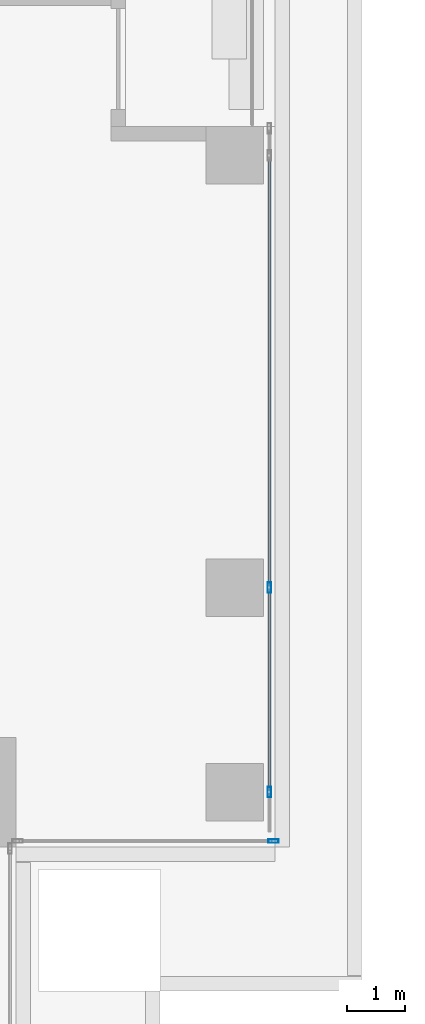
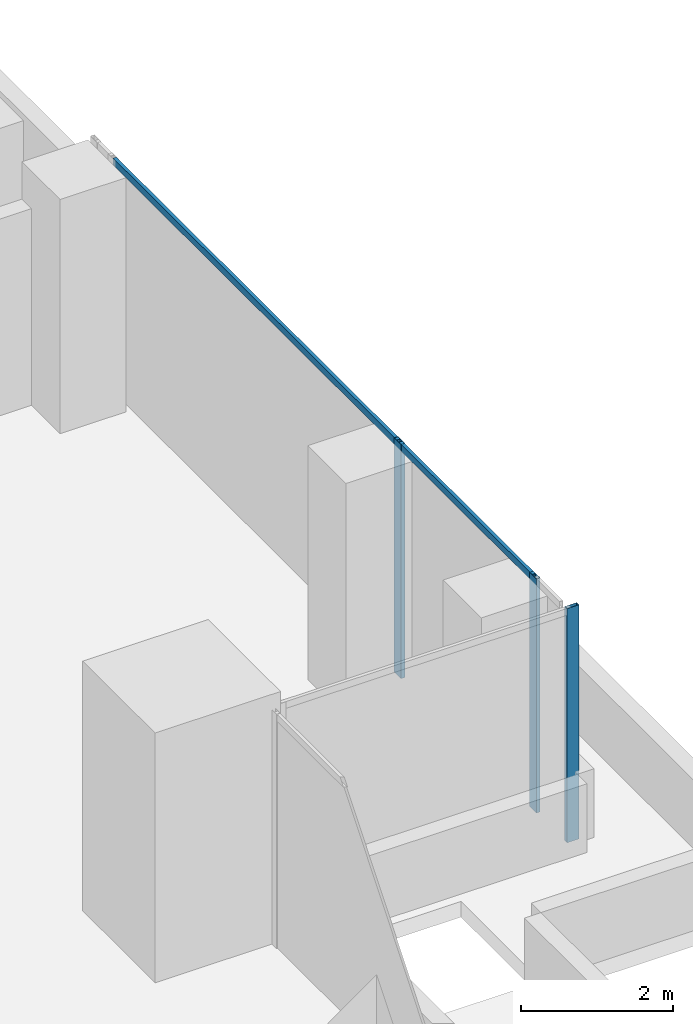
# One storey, part 10 of 43: 5 members, 2 elements without a shape of their own.
"""IFC4 building model written with IfcOpenShell, lengths in metres."""

from ifc_helpers import new_model, si_unit, direction, frame, origin, origin_2d, place, context, subcontext, project, spatial, hollow_rectangle, extrude, source, transform, mapped, material, material_profile, profile_set, type_object, element, aggregate, save


model = new_model("IFC4")

# Units and contexts
model_context = context("Model", 3, precision=1e-05, world=origin(), true_north=direction((0.0, 1.0)))
body_context = subcontext(model_context, "Body", "Model", "MODEL_VIEW")
ifc_project = project(units=[si_unit("LENGTHUNIT", "METRE"), si_unit("AREAUNIT", "SQUARE_METRE"), si_unit("VOLUMEUNIT", "CUBIC_METRE"), si_unit("PLANEANGLEUNIT", "RADIAN"), si_unit("MASSUNIT", "GRAM", prefix="KILO")], contexts=[model_context])

# Site, building, storey
site_placement = place(None, origin())
site = spatial("IfcSite", under=ifc_project, at=site_placement, CompositionType="ELEMENT")
building_placement = place(site_placement, origin())
building = spatial("IfcBuilding", under=site, at=building_placement, Name="Khomas Fold Tower", CompositionType="ELEMENT")
storey_placement = place(building_placement, frame((0.0, 0.0, 164.699951171875)))
storey = spatial("IfcBuildingStorey", under=building, at=storey_placement, Name="L35", CompositionType="ELEMENT", Elevation=164.699951171875)

# Curtain wall, member
ifc_material_1 = material(Name="Aluminium framed double glazing", Category="aluminium")
curtain_wall_type = type_object("IfcCurtainWallType", Name="SK-Unitised clear-glass wall, office floors CW2", PredefinedType="NOTDEFINED", material=ifc_material_1)
curtain_wall_1_placement = place(storey_placement, origin())
curtain_wall_1 = element("IfcCurtainWall", 1, at=curtain_wall_1_placement, inside=storey, type_object=curtain_wall_type, Name="CW2 corner return L35 07", PredefinedType="NOTDEFINED")
ifc_material_2 = material(Name="Aluminium", Category="aluminium")
ifc_material_profile_1 = material_profile(ifc_material_2, hollow_rectangle(XDim=0.06005859375, YDim=0.179931640625, WallThickness=0.00390625, at=origin_2d()), Name="SK-Unitised clear-glass wall, office floors mullion CW2-M")
ifc_profile_set_1 = profile_set([ifc_material_profile_1], Name="Aluminium")
member_type_1 = type_object("IfcMemberType", Name="SK-Unitised clear-glass wall, office floors mullion CW2-M", PredefinedType="MULLION", material=ifc_profile_set_1)
shared_shape_1 = source(origin(), body_context, "Body", "SweptSolid", [
    extrude(hollow_rectangle(XDim=0.06005859375, YDim=0.179931640625, WallThickness=0.00390625, at=origin_2d()), origin(), (0.0, 0.0, 1.0), 3.75),
])
member_1_placement = place(storey_placement, frame((50.969970703125, 7.60009765625, 0.0), z_axis=(0.0, 0.0, 1.0), x_axis=(0.0, 1.0, 0.0)))
member_1 = element("IfcMember", 2, at=member_1_placement, type_object=member_type_1, Name="CW2 mullion 2", PredefinedType="MULLION", context=body_context, shape_type="MappedRepresentation", body=[
    mapped(shared_shape_1, transform((0.0, 0.0, 0.0))),
])
aggregate(curtain_wall_1, [member_1])

# Curtain wall, members
curtain_wall_2_placement = place(storey_placement, origin())
curtain_wall_2 = element("IfcCurtainWall", 3, at=curtain_wall_2_placement, inside=storey, type_object=curtain_wall_type, Name="CW2 run L35 08-0", PredefinedType="NOTDEFINED")
member_2_placement = place(storey_placement, frame((50.89990234375, 8.449951171875, 0.0), z_axis=(0.0, 0.0, 1.0), x_axis=(-1.0, 0.0, 0.0)))
member_2 = element("IfcMember", 4, at=member_2_placement, type_object=member_type_1, Name="CW2 mullion 2", PredefinedType="MULLION", context=body_context, shape_type="MappedRepresentation", body=[
    mapped(shared_shape_1, transform((0.0, 0.0, 0.0))),
])
member_3_placement = place(storey_placement, frame((50.89990234375, 12.0, 0.0), z_axis=(0.0, 0.0, 1.0), x_axis=(-1.0, 0.0, 0.0)))
member_3 = element("IfcMember", 5, at=member_3_placement, type_object=member_type_1, Name="CW2 mullion 3", PredefinedType="MULLION", context=body_context, shape_type="MappedRepresentation", body=[
    mapped(shared_shape_1, transform((0.0, 0.0, 0.0))),
])
ifc_material_3 = material(Name="Aluminium", Category="aluminium")
ifc_material_profile_2 = material_profile(ifc_material_3, hollow_rectangle(XDim=0.050048828125, YDim=0.110107421875, WallThickness=0.00390625, at=origin_2d()), Name="SK-Unitised clear-glass wall, office floors transom CW2-T")
ifc_profile_set_2 = profile_set([ifc_material_profile_2], Name="Aluminium")
member_type_2 = type_object("IfcMemberType", Name="SK-Unitised clear-glass wall, office floors transom CW2-T", PredefinedType="USERDEFINED", material=ifc_profile_set_2)
shared_shape_2 = source(origin(), body_context, "Body", "SweptSolid", [
    extrude(hollow_rectangle(XDim=0.050048828125, YDim=0.110107421875, WallThickness=0.00390625, at=origin_2d()), origin(), (0.0, 0.0, 1.0), 3.489990234375),
])
member_4_placement = place(storey_placement, frame((50.89990234375, 8.47998046875, 3.695068359375), z_axis=(0.0, 1.0, 0.0), x_axis=(-1.0, 0.0, 0.0)))
member_4 = element("IfcMember", 6, at=member_4_placement, type_object=member_type_2, Name="CW2 transom 2", ObjectType="TRANSOM", PredefinedType="USERDEFINED", context=body_context, shape_type="MappedRepresentation", body=[
    mapped(shared_shape_2, transform((0.0, 0.0, 0.0))),
])
shared_shape_3 = source(origin(), body_context, "Body", "SweptSolid", [
    extrude(hollow_rectangle(XDim=0.050048828125, YDim=0.110107421875, WallThickness=0.00390625, at=origin_2d()), origin(), (0.0, 0.0, 1.0), 7.43994140625),
])
member_5_placement = place(storey_placement, frame((50.89990234375, 12.030029296875, 3.695068359375), z_axis=(0.0, 1.0, 0.0), x_axis=(-1.0, 0.0, 0.0)))
member_5 = element("IfcMember", 7, at=member_5_placement, type_object=member_type_2, Name="CW2 transom 3", ObjectType="TRANSOM", PredefinedType="USERDEFINED", context=body_context, shape_type="MappedRepresentation", body=[
    mapped(shared_shape_3, transform((0.0, 0.0, 0.0))),
])
aggregate(curtain_wall_2, [member_2, member_3, member_4, member_5])

save(model, "model.ifc")
